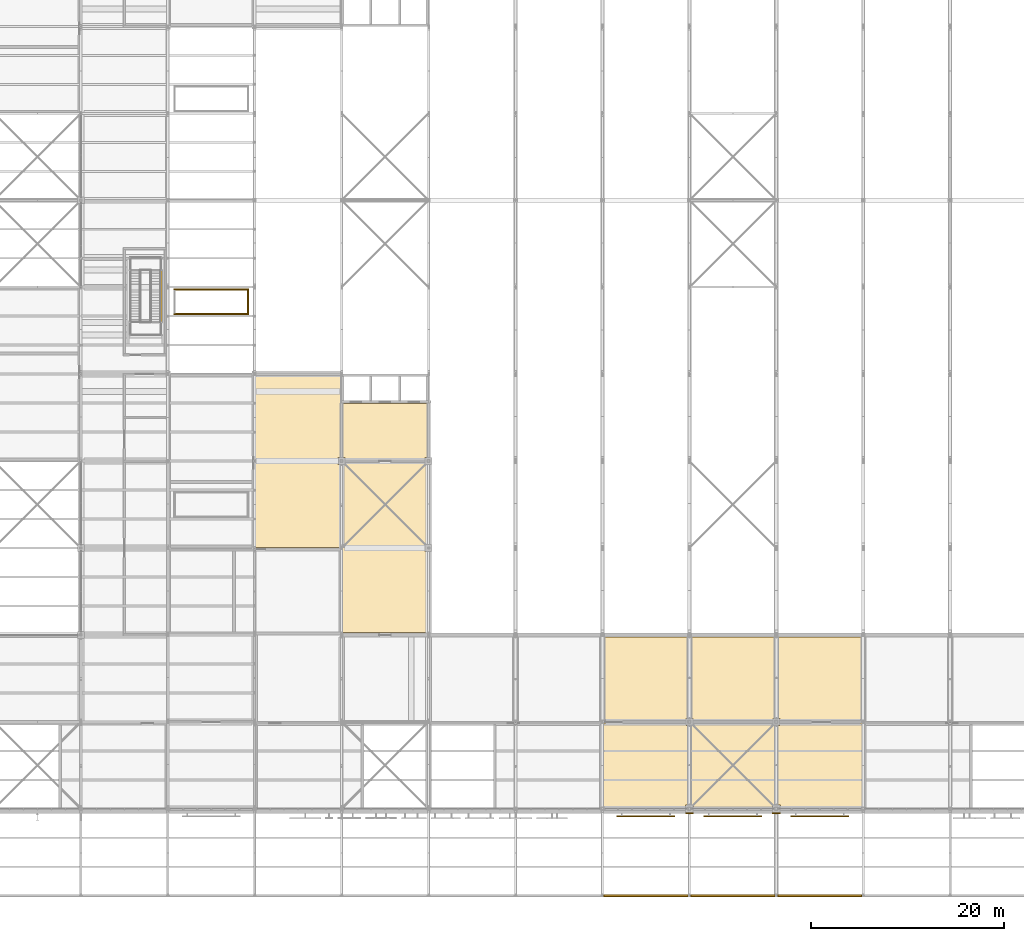
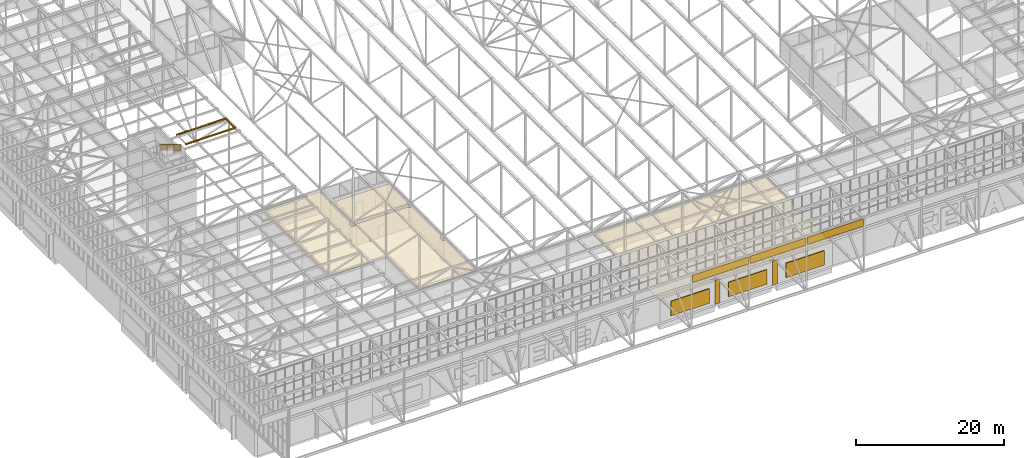
# One storey, part 632 of 646: 12 coverings, 3 shading devices, 1 railing.
"""IFC4 building model written with IfcOpenShell, lengths in metres."""

from ifc_helpers import new_model, si_unit, direction, frame, origin, origin_2d, place, context, subcontext, project, spatial, polyline, rectangle, circle, outline, extrude, material, layer, layer_set, type_object, element, save


model = new_model("IFC4")

# Units and contexts
model_context = context("Model", 3, precision=1e-05, world=origin(), true_north=direction((0.0, 1.0)))
body_context = subcontext(model_context, "Body", "Model", "MODEL_VIEW")
ifc_project = project(units=[si_unit("LENGTHUNIT", "METRE"), si_unit("AREAUNIT", "SQUARE_METRE"), si_unit("VOLUMEUNIT", "CUBIC_METRE"), si_unit("PLANEANGLEUNIT", "RADIAN"), si_unit("MASSUNIT", "GRAM", prefix="KILO")], contexts=[model_context])

# Site, building, storey
site_placement = place(None, origin())
site = spatial("IfcSite", under=ifc_project, at=site_placement, CompositionType="ELEMENT")
building_placement = place(site_placement, origin())
building = spatial("IfcBuilding", under=site, at=building_placement, Name="Silverbay Arena", CompositionType="ELEMENT")
storey_placement = place(building_placement, frame((0.0, 0.0, 33.5)))
storey = spatial("IfcBuildingStorey", under=building, at=storey_placement, Name="L05", CompositionType="ELEMENT", Elevation=33.5)

# Coverings
ifc_material_1 = material(Name="Aluminium composite cladding", Category="aluminium")
ifc_layer_1 = layer(ifc_material_1, 0.10009765625)
ifc_layer_set_1 = layer_set([ifc_layer_1], Name="Aluminium composite cladding")
covering_type_1 = type_object("IfcCoveringType", Name="Column cladding 100", PredefinedType="CLADDING", material=ifc_layer_set_1)
covering_1_placement = place(storey_placement, origin())
element("IfcCovering", 1, at=covering_1_placement, inside=storey, type_object=covering_type_1, Name="South column cladding L05 1", PredefinedType="CLADDING", context=body_context, shape_type="SweptSolid", body=[
    extrude(outline(polyline([(125.60009765625, 17.5), (126.39990234375, 17.5), (126.39990234375, 17.60009765625), (125.60009765625, 17.60009765625), (125.60009765625, 17.5)])), origin(), (0.0, 0.0, 1.0), 4.0),
])
covering_2_placement = place(storey_placement, origin())
element("IfcCovering", 2, at=covering_2_placement, inside=storey, type_object=covering_type_1, Name="South column cladding L05 3", PredefinedType="CLADDING", context=body_context, shape_type="SweptSolid", body=[
    extrude(outline(polyline([(134.60009765625, 17.5), (135.39990234375, 17.5), (135.39990234375, 17.60009765625), (134.60009765625, 17.60009765625), (134.60009765625, 17.5)])), origin(), (0.0, 0.0, 1.0), 4.0),
])
ifc_material_2 = material(Name="Fire-resisting board ceiling")
ifc_layer_2 = layer(ifc_material_2, 0.050048828125)
ifc_layer_set_2 = layer_set([ifc_layer_2], Name="Fire-resisting board ceiling")
covering_type_2 = type_object("IfcCoveringType", Name="Fire-resisting ceiling EI 120", PredefinedType="CEILING", material=ifc_layer_set_2)
covering_3_placement = place(storey_placement, frame((0.0, 0.0, 3.5)))
element("IfcCovering", 3, at=covering_3_placement, inside=storey, type_object=covering_type_2, Name="Fire-resisting ceiling 02", PredefinedType="CEILING", context=body_context, shape_type="SweptSolid", body=[
    extrude(outline(polyline([(144.02001953125, 27.10009765625), (144.02001953125, 35.77001953125), (117.02001953125, 35.77001953125), (117.02001953125, 27.10009765625), (125.639892578125, 27.10009765625), (125.639892578125, 27.360107421875), (126.360107421875, 27.360107421875), (126.360107421875, 27.10009765625), (134.639892578125, 27.10009765625), (134.639892578125, 27.360107421875), (135.360107421875, 27.360107421875), (135.360107421875, 27.10009765625), (144.02001953125, 27.10009765625)])), origin(), (0.0, 0.0, 1.0), 0.050048828125),
])
covering_4_placement = place(storey_placement, frame((0.0, 0.0, 3.5)))
element("IfcCovering", 4, at=covering_4_placement, inside=storey, type_object=covering_type_2, Name="Fire-resisting ceiling 18", PredefinedType="CEILING", context=body_context, shape_type="SweptSolid", body=[
    extrude(outline(polyline([(125.5400390625, 17.97998046875), (125.590087890625, 17.97998046875), (125.590087890625, 18.409912109375), (126.409912109375, 18.409912109375), (126.409912109375, 17.97998046875), (126.4599609375, 17.97998046875), (126.4599609375, 17.800048828125), (134.5400390625, 17.800048828125), (134.5400390625, 17.97998046875), (134.590087890625, 17.97998046875), (134.590087890625, 18.409912109375), (135.409912109375, 18.409912109375), (135.409912109375, 17.97998046875), (135.4599609375, 17.97998046875), (135.4599609375, 17.800048828125), (143.93994140625, 17.800048828125), (143.93994140625, 17.97998046875), (143.969970703125, 17.97998046875), (143.969970703125, 26.89990234375), (135.360107421875, 26.89990234375), (135.360107421875, 26.639892578125), (134.639892578125, 26.639892578125), (134.639892578125, 26.89990234375), (126.360107421875, 26.89990234375), (126.360107421875, 26.639892578125), (125.639892578125, 26.639892578125), (125.639892578125, 26.89990234375), (117.030029296875, 26.89990234375), (117.030029296875, 17.97998046875), (117.06005859375, 17.97998046875), (117.06005859375, 17.800048828125), (125.5400390625, 17.800048828125), (125.5400390625, 17.97998046875)])), origin(), (0.0, 0.0, 1.0), 0.050048828125),
])
covering_5_placement = place(storey_placement, frame((0.0, 0.0, 3.5)))
element("IfcCovering", 5, at=covering_5_placement, inside=storey, type_object=covering_type_2, Name="Fire-resisting ceiling 35", PredefinedType="CEILING", context=body_context, shape_type="SweptSolid", body=[
    extrude(outline(polyline([(89.969970703125, 60.0), (89.969970703125, 63.02001953125), (81.030029296875, 63.02001953125), (81.030029296875, 45.030029296875), (90.030029296875, 45.030029296875), (90.030029296875, 36.22998046875), (99.02001953125, 36.22998046875), (99.02001953125, 44.639892578125), (98.639892578125, 44.639892578125), (98.639892578125, 45.360107421875), (99.02001953125, 45.360107421875), (99.02001953125, 53.639892578125), (98.639892578125, 53.639892578125), (98.639892578125, 53.89990234375), (90.360107421875, 53.89990234375), (90.360107421875, 53.639892578125), (89.639892578125, 53.639892578125), (89.639892578125, 54.360107421875), (89.89990234375, 54.360107421875), (89.89990234375, 60.0), (89.969970703125, 60.0)])), origin(), (0.0, 0.0, 1.0), 0.050048828125),
])
covering_6_placement = place(storey_placement, frame((0.0, 0.0, 3.5)))
element("IfcCovering", 6, at=covering_6_placement, inside=storey, type_object=covering_type_2, Name="Fire-resisting ceiling 36", PredefinedType="CEILING", context=body_context, shape_type="SweptSolid", body=[
    extrude(outline(polyline([(98.639892578125, 54.360107421875), (99.02001953125, 54.360107421875), (99.02001953125, 59.969970703125), (90.10009765625, 59.969970703125), (90.10009765625, 54.360107421875), (90.360107421875, 54.360107421875), (90.360107421875, 54.10009765625), (98.639892578125, 54.10009765625), (98.639892578125, 54.360107421875)])), origin(), (0.0, 0.0, 1.0), 0.050048828125),
])

# Shading devices
ifc_material_3 = material(Name="Aluminium", Category="aluminium")
shading_device_type = type_object("IfcShadingDeviceType", Name="Louvre screen 6000 x 2400", PredefinedType="JALOUSIE", material=ifc_material_3)
for number, where, z_axis, x_axis, name in (
    (7, (121.5, 17.22509765625, 0.800048828125), (0.0, 0.0, 1.0), (1.0, 0.0, 0.0), "South plant louvre L05 bay 8"),
    (8, (130.5, 17.22509765625, 0.800048828125), (0.0, 0.0, 1.0), (1.0, 0.0, 0.0), "South plant louvre L05 bay 9"),
    (9, (139.5, 17.22509765625, 0.800048828125), (0.0, 0.0, 1.0), (1.0, 0.0, 0.0), "South plant louvre L05 bay 10"),
):
    element("IfcShadingDevice", number, at=place(storey_placement, frame(where, z_axis=z_axis, x_axis=x_axis)), inside=storey, type_object=shading_device_type, Name=name, PredefinedType="JALOUSIE", context=body_context, shape_type="SweptSolid", body=[
        extrude(rectangle(XDim=6.0, YDim=0.14990234375, at=origin_2d()), origin(), (0.0, 0.0, 1.0), 2.39990234375),
    ])

# Coverings
ifc_material_4 = material(Name="Insulated metal cladding panel")
ifc_layer_3 = layer(ifc_material_4, 0.199951171875)
ifc_layer_set_3 = layer_set([ifc_layer_3], Name="Insulated metal cladding panel")
covering_type_3 = type_object("IfcCoveringType", Name="Roof edge fascia 200", PredefinedType="CLADDING", material=ifc_layer_set_3)
covering_7_placement = place(storey_placement, frame((0.0, 0.0, 11.800048828125)))
element("IfcCovering", 10, at=covering_7_placement, inside=storey, type_object=covering_type_3, Name="ROOF EDGE FASCIA south bay 08", PredefinedType="CLADDING", context=body_context, shape_type="SweptSolid", body=[
    extrude(outline(polyline([(117.12939453125, 8.89990234375), (125.87060546875, 8.89990234375), (125.87060546875, 9.10009765625), (117.12939453125, 9.10009765625), (117.12939453125, 8.89990234375)])), origin(), (0.0, 0.0, 1.0), 1.199951171875),
])
covering_8_placement = place(storey_placement, frame((0.0, 0.0, 11.800048828125)))
element("IfcCovering", 11, at=covering_8_placement, inside=storey, type_object=covering_type_3, Name="ROOF EDGE FASCIA south bay 09", PredefinedType="CLADDING", context=body_context, shape_type="SweptSolid", body=[
    extrude(outline(polyline([(126.12939453125, 8.89990234375), (134.87060546875, 8.89990234375), (134.87060546875, 9.10009765625), (126.12939453125, 9.10009765625), (126.12939453125, 8.89990234375)])), origin(), (0.0, 0.0, 1.0), 1.199951171875),
])
covering_9_placement = place(storey_placement, frame((0.0, 0.0, 11.800048828125)))
element("IfcCovering", 12, at=covering_9_placement, inside=storey, type_object=covering_type_3, Name="ROOF EDGE FASCIA south bay 10", PredefinedType="CLADDING", context=body_context, shape_type="SweptSolid", body=[
    extrude(outline(polyline([(135.12939453125, 8.89990234375), (143.87060546875, 8.89990234375), (143.87060546875, 9.10009765625), (135.12939453125, 9.10009765625), (135.12939453125, 8.89990234375)])), origin(), (0.0, 0.0, 1.0), 1.199951171875),
])
ifc_material_5 = material(Name="Insulated metal curb")
ifc_layer_4 = layer(ifc_material_5, 0.14990234375)
ifc_layer_set_4 = layer_set([ifc_layer_4], Name="Insulated metal curb")
covering_type_4 = type_object("IfcCoveringType", Name="Roof light curb 150", PredefinedType="CLADDING", material=ifc_layer_set_4)
covering_10_placement = place(storey_placement, frame((0.0, 0.0, 13.60009765625)))
element("IfcCovering", 13, at=covering_10_placement, inside=storey, type_object=covering_type_4, Name="ROOF LIGHT CURB 03 S", PredefinedType="CLADDING", context=body_context, shape_type="SweptSolid", body=[
    extrude(outline(polyline([(72.60009765625, 69.14990234375), (80.39990234375, 69.14990234375), (80.39990234375, 69.300048828125), (72.60009765625, 69.300048828125), (72.60009765625, 69.14990234375)])), origin(), (0.0, 0.0, 1.0), 0.199951171875),
])
covering_11_placement = place(storey_placement, frame((0.0, 0.0, 13.60009765625)))
element("IfcCovering", 14, at=covering_11_placement, inside=storey, type_object=covering_type_4, Name="ROOF LIGHT CURB 03 N", PredefinedType="CLADDING", context=body_context, shape_type="SweptSolid", body=[
    extrude(outline(polyline([(72.60009765625, 71.699951171875), (80.39990234375, 71.699951171875), (80.39990234375, 71.85009765625), (72.60009765625, 71.85009765625), (72.60009765625, 71.699951171875)])), origin(), (0.0, 0.0, 1.0), 0.199951171875),
])
covering_12_placement = place(storey_placement, frame((0.0, 0.0, 13.60009765625)))
element("IfcCovering", 15, at=covering_12_placement, inside=storey, type_object=covering_type_4, Name="ROOF LIGHT CURB 03 E", PredefinedType="CLADDING", context=body_context, shape_type="SweptSolid", body=[
    extrude(outline(polyline([(80.25, 69.300048828125), (80.39990234375, 69.300048828125), (80.39990234375, 71.699951171875), (80.25, 71.699951171875), (80.25, 69.300048828125)])), origin(), (0.0, 0.0, 1.0), 0.199951171875),
])

# Railing
ifc_material_6 = material(Name="Stainless steel", Category="steel")
railing_type = type_object("IfcRailingType", Name="Stair guard 1100", PredefinedType="GUARDRAIL", material=ifc_material_6)
railing_placement = place(storey_placement, frame((71.27490234375, 73.719970703125, 10.3701171875)))
element("IfcRailing", 16, at=railing_placement, inside=storey, type_object=railing_type, Name="Stair RA1 L05 to ROOF flight 4 guard right", PredefinedType="GUARDRAIL", context=body_context, shape_type="SweptSolid", body=[
    extrude(circle(Radius=0.02392578125, at=origin_2d()), frame((0.0, 0.0, 1.076171875), z_axis=(0.0, -0.854791865604, 0.518970968838), x_axis=(1.0, 0.0, 0.0)), (0.0, 0.0, 1.0), 6.223876953125),
    extrude(outline(polyline([(-0.008056640625, 0.045166015625), (0.894775390625, 0.59326171875), (0.894775390625, 1.59619140625), (-0.008056640625, 1.048095703125), (-0.008056640625, 0.045166015625)])), frame((0.0029296875, 0.0, 0.0), z_axis=(-1.0, 0.0, 0.0), x_axis=(0.0, -1.0, 0.0)), (0.0, 0.0, 1.0), 0.006103515625),
    extrude(outline(polyline([(-0.008056640625, 0.58349609375), (0.894775390625, 1.131591796875), (0.894775390625, 2.134521484375), (-0.008056640625, 1.58642578125), (-0.008056640625, 0.58349609375)])), frame((0.0029296875, -0.88671875, 0.0), z_axis=(-1.0, 0.0, 0.0), x_axis=(0.0, -1.0, 0.0)), (0.0, 0.0, 1.0), 0.006103515625),
    extrude(outline(polyline([(-0.008056640625, 1.121826171875), (0.894775390625, 1.669921875), (0.894775390625, 2.6728515625), (-0.008056640625, 2.124755859375), (-0.008056640625, 1.121826171875)])), frame((0.0029296875, -1.7734375, 0.0), z_axis=(-1.0, 0.0, 0.0), x_axis=(0.0, -1.0, 0.0)), (0.0, 0.0, 1.0), 0.006103515625),
    extrude(outline(polyline([(-0.008056640625, 1.66015625), (0.894775390625, 2.208251953125), (0.894775390625, 3.211181640625), (-0.008056640625, 2.6630859375), (-0.008056640625, 1.66015625)])), frame((0.0029296875, -2.66015625, 0.0), z_axis=(-1.0, 0.0, 0.0), x_axis=(0.0, -1.0, 0.0)), (0.0, 0.0, 1.0), 0.006103515625),
    extrude(outline(polyline([(-0.008056640625, 2.198486328125), (0.894775390625, 2.74658203125), (0.894775390625, 3.74951171875), (-0.008056640625, 3.201416015625), (-0.008056640625, 2.198486328125)])), frame((0.0029296875, -3.546630859375, 0.0), z_axis=(-1.0, 0.0, 0.0), x_axis=(0.0, -1.0, 0.0)), (0.0, 0.0, 1.0), 0.006103515625),
    extrude(outline(polyline([(-0.008056640625, 2.73681640625), (0.894775390625, 3.284912109375), (0.894775390625, 4.287841796875), (-0.008056640625, 3.73974609375), (-0.008056640625, 2.73681640625)])), frame((0.0029296875, -4.433349609375, 0.0), z_axis=(-1.0, 0.0, 0.0), x_axis=(0.0, -1.0, 0.0)), (0.0, 0.0, 1.0), 0.006103515625),
    extrude(circle(Radius=0.02099609375, at=origin_2d()), origin(), (0.0, 0.0, 1.0), 1.052001953125),
    extrude(circle(Radius=0.02099609375, at=origin_2d()), frame((0.0, -0.88671875, 0.538330078125)), (0.0, 0.0, 1.0), 1.052001953125),
    extrude(circle(Radius=0.02099609375, at=origin_2d()), frame((0.0, -1.7734375, 1.07666015625)), (0.0, 0.0, 1.0), 1.052001953125),
    extrude(circle(Radius=0.02099609375, at=origin_2d()), frame((0.0, -2.66015625, 1.614990234375)), (0.0, 0.0, 1.0), 1.052001953125),
    extrude(circle(Radius=0.02099609375, at=origin_2d()), frame((0.0, -3.546630859375, 2.1533203125)), (0.0, 0.0, 1.0), 1.052001953125),
    extrude(circle(Radius=0.02099609375, at=origin_2d()), frame((0.0, -4.433349609375, 2.691650390625)), (0.0, 0.0, 1.0), 1.052001953125),
    extrude(circle(Radius=0.02099609375, at=origin_2d()), frame((0.0, -5.320068359375, 3.22998046875)), (0.0, 0.0, 1.0), 1.052001953125),
])

save(model, "model.ifc")
